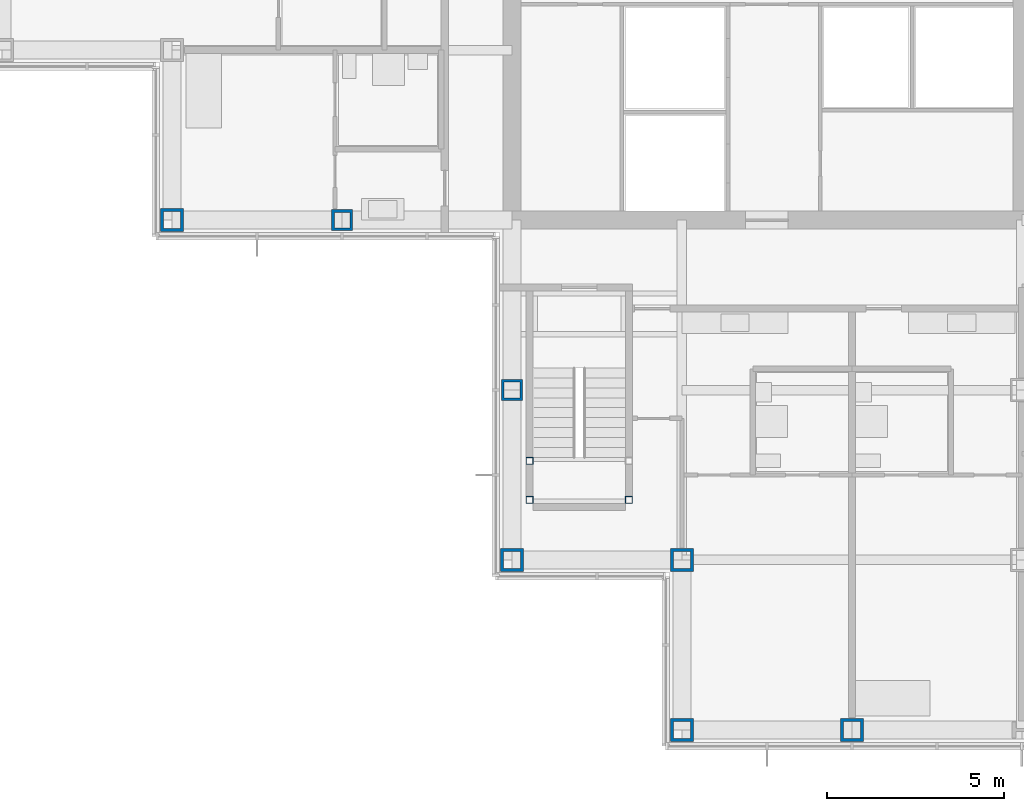
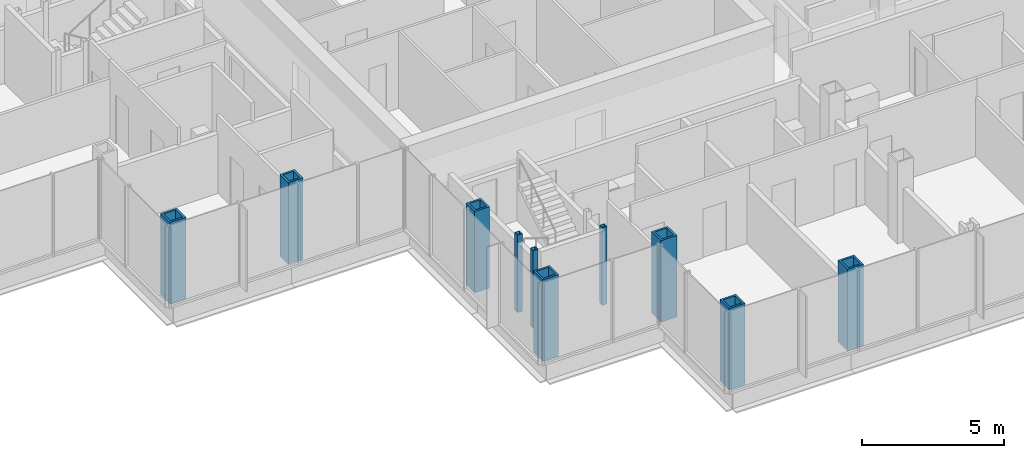
# One storey, part 1 of 20: 10 columns.
"""IFC4 building model written with IfcOpenShell, lengths in metres."""

from ifc_helpers import new_model, si_unit, direction, frame, origin, origin_2d, place, context, subcontext, project, spatial, hollow_rectangle, extrude, material, material_profile, profile_set, type_object, element, save


model = new_model("IFC4")

# Units and contexts
model_context = context("Model", 3, precision=1e-05, world=origin(), true_north=direction((0.0, 1.0)))
body_context = subcontext(model_context, "Body", "Model", "MODEL_VIEW")
ifc_project = project(units=[si_unit("LENGTHUNIT", "METRE"), si_unit("AREAUNIT", "SQUARE_METRE"), si_unit("VOLUMEUNIT", "CUBIC_METRE"), si_unit("PLANEANGLEUNIT", "RADIAN"), si_unit("MASSUNIT", "GRAM", prefix="KILO")], contexts=[model_context])

# Site, building, storey
site_placement = place(None, origin())
site = spatial("IfcSite", under=ifc_project, at=site_placement, CompositionType="ELEMENT")
building_placement = place(site_placement, origin())
building = spatial("IfcBuilding", under=site, at=building_placement, Name="Kvirike Care Tower", CompositionType="ELEMENT")
storey_placement = place(building_placement, frame((0.0, 0.0, 101.5)))
storey = spatial("IfcBuildingStorey", under=building, at=storey_placement, Name="L27", CompositionType="ELEMENT", Elevation=101.5)

# Columns
ifc_material_1 = material(Name="Steel S460", Category="steel")
ifc_material_profile_1 = material_profile(ifc_material_1, hollow_rectangle(XDim=0.60009765625, YDim=0.60009765625, WallThickness=0.080078125, at=origin_2d()), Name="BX 600x600x80")
ifc_profile_set_1 = profile_set([ifc_material_profile_1], Name="Steel S460")
column_type_1 = type_object("IfcColumnType", Name="COLUMN BX 600x600x80", PredefinedType="COLUMN", material=ifc_profile_set_1)
for number, where, z_axis, x_axis, name in (
    (1, (9.60009765625, 28.800048828125, 0.0), (0.0, 0.0, 1.0), (0.0, 1.0, 0.0), "Column G5 L27"),
    (2, (14.39990234375, 24.0, 0.0), (0.0, 0.0, 1.0), (1.0, 0.0, 0.0), "Column F6 L27"),
):
    element("IfcColumn", number, at=place(storey_placement, frame(where, z_axis=z_axis, x_axis=x_axis)), inside=storey, type_object=column_type_1, Name=name, PredefinedType="COLUMN", context=body_context, shape_type="SweptSolid", body=[
        extrude(hollow_rectangle(XDim=0.60009765625, YDim=0.60009765625, WallThickness=0.080078125, at=origin_2d()), origin(), (0.0, 0.0, 1.0), 3.5),
    ])
ifc_material_2 = material(Name="Steel S460", Category="steel")
ifc_material_profile_2 = material_profile(ifc_material_2, hollow_rectangle(XDim=0.64990234375, YDim=0.64990234375, WallThickness=0.080078125, at=origin_2d()), Name="BX 650x650x80")
ifc_profile_set_2 = profile_set([ifc_material_profile_2], Name="Steel S460")
column_type_2 = type_object("IfcColumnType", Name="COLUMN BX 650x650x80", PredefinedType="COLUMN", material=ifc_profile_set_2)
for number, where, z_axis, x_axis, name in (
    (3, (4.800048828125, 28.800048828125, 0.0), (0.0, 0.0, 1.0), (0.0, 1.0, 0.0), "Column G4 L27"),
    (4, (14.39990234375, 19.199951171875, 0.0), (0.0, 0.0, 1.0), (0.0, 1.0, 0.0), "Column E6 L27"),
    (5, (19.199951171875, 14.39990234375, 0.0), (0.0, 0.0, 1.0), (0.0, 1.0, 0.0), "Column D7 L27"),
    (6, (19.199951171875, 19.199951171875, 0.0), (0.0, 0.0, 1.0), (0.0, 1.0, 0.0), "Column E7 L27"),
    (7, (24.0, 14.39990234375, 0.0), (0.0, 0.0, 1.0), (0.0, 1.0, 0.0), "Column D8 L27"),
):
    element("IfcColumn", number, at=place(storey_placement, frame(where, z_axis=z_axis, x_axis=x_axis)), inside=storey, type_object=column_type_2, Name=name, PredefinedType="COLUMN", context=body_context, shape_type="SweptSolid", body=[
        extrude(hollow_rectangle(XDim=0.64990234375, YDim=0.64990234375, WallThickness=0.080078125, at=origin_2d()), origin(), (0.0, 0.0, 1.0), 3.5),
    ])
ifc_material_3 = material(Name="Steel S460", Category="steel")
ifc_material_profile_3 = material_profile(ifc_material_3, hollow_rectangle(XDim=0.199951171875, YDim=0.199951171875, WallThickness=0.008056640625, at=origin_2d()), Name="SHS 200x200x8")
ifc_profile_set_3 = profile_set([ifc_material_profile_3], Name="Steel S460")
column_type_3 = type_object("IfcColumnType", Name="STAIR POST SHS 200x200x8", PredefinedType="COLUMN", material=ifc_profile_set_3)
for number, where, z_axis, x_axis, name in (
    (8, (14.89990234375, 20.89990234375, 0.0), (0.0, 0.0, 1.0), (1.0, 0.0, 0.0), "Stair 5 post 1 L27"),
    (9, (17.699951171875, 20.89990234375, 0.0), (0.0, 0.0, 1.0), (1.0, 0.0, 0.0), "Stair 5 post 2 L27"),
    (10, (14.89990234375, 22.0, 0.0), (0.0, 0.0, 1.0), (1.0, 0.0, 0.0), "Stair 5 post 3 L27"),
):
    element("IfcColumn", number, at=place(storey_placement, frame(where, z_axis=z_axis, x_axis=x_axis)), inside=storey, type_object=column_type_3, Name=name, PredefinedType="COLUMN", context=body_context, shape_type="SweptSolid", body=[
        extrude(hollow_rectangle(XDim=0.199951171875, YDim=0.199951171875, WallThickness=0.008056640625, at=origin_2d()), origin(), (0.0, 0.0, 1.0), 3.330078125),
    ])

save(model, "model.ifc")
